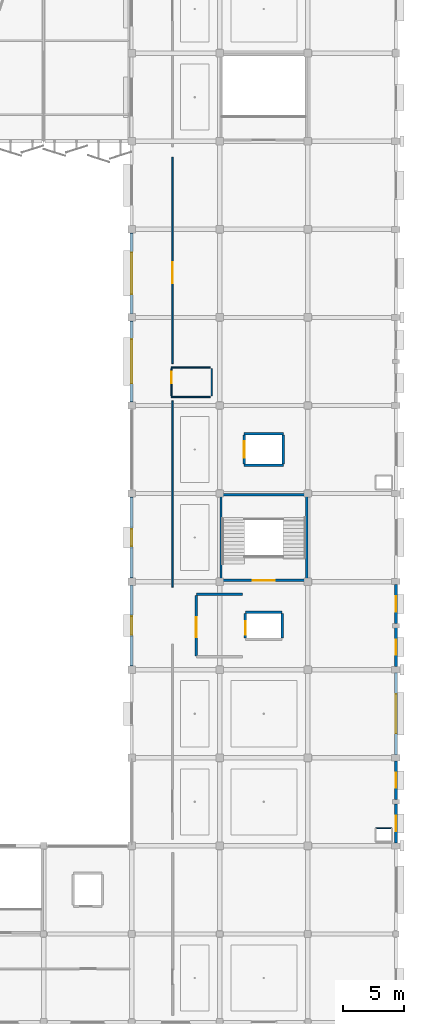
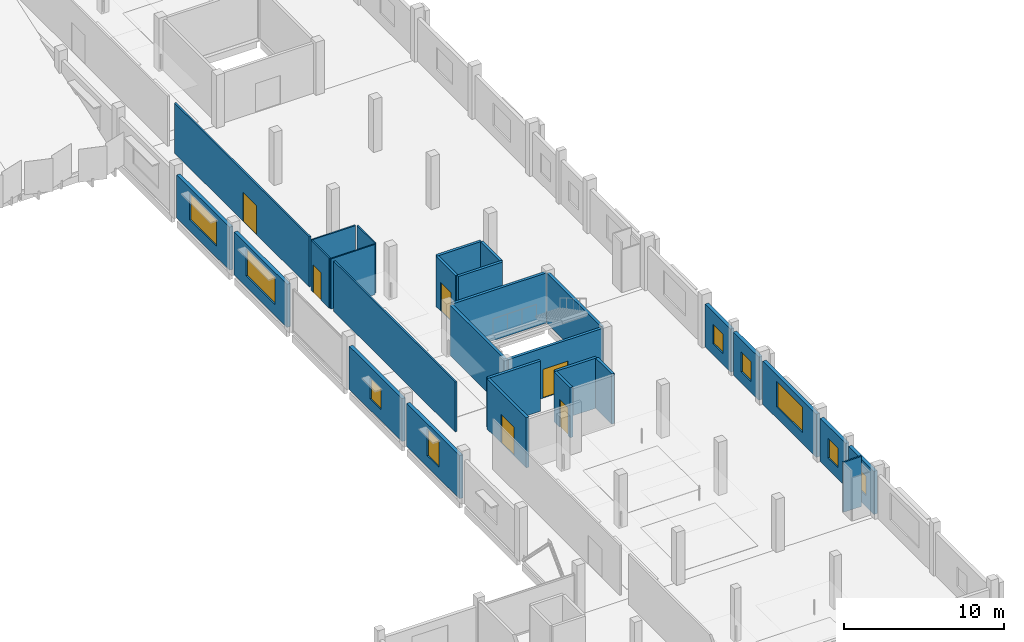
# One storey, part 43 of 59: 29 walls, 9 windows, 6 doors, 15 openings.
"""IFC4 building model written with IfcOpenShell, lengths in metres."""

from ifc_helpers import new_model, si_unit, direction, frame, frame_2d, origin, place, context, subcontext, project, spatial, rectangle, extrude, material, layer, layer_set, type_object, element, fill, save


model = new_model("IFC4")

# Units and contexts
model_context = context("Model", 3, precision=1e-05, world=origin(), true_north=direction((0.0, 1.0)))
body_context = subcontext(model_context, "Body", "Model", "MODEL_VIEW")
ifc_project = project(units=[si_unit("LENGTHUNIT", "METRE"), si_unit("AREAUNIT", "SQUARE_METRE"), si_unit("VOLUMEUNIT", "CUBIC_METRE"), si_unit("PLANEANGLEUNIT", "RADIAN"), si_unit("MASSUNIT", "GRAM", prefix="KILO")], contexts=[model_context])

# Site, building, storey
site_placement = place(None, origin())
site = spatial("IfcSite", under=ifc_project, at=site_placement, CompositionType="ELEMENT")
building_placement = place(site_placement, origin())
building = spatial("IfcBuilding", under=site, at=building_placement, Name="Kangsadwip Square Police Headquarters", CompositionType="ELEMENT")
storey_placement = place(building_placement, frame((0.0, 0.0, 21.60009765625)))
storey = spatial("IfcBuildingStorey", under=building, at=storey_placement, Name="L05", CompositionType="ELEMENT", Elevation=21.60009765625)

# Wall, opening, door
ifc_material_1 = material(Name="Fire-rated double gypsum board acoustic stud partition", Category="masonry")
ifc_layer_1 = layer(ifc_material_1, 0.1201171875)
ifc_layer_set_1 = layer_set([ifc_layer_1], Name="Fire-rated double gypsum board acoustic stud partition")
wall_type_1 = type_object("IfcWallType", Name="AcousticPartition120", PredefinedType="PARTITIONING", material=ifc_layer_set_1)
wall_1_placement = place(storey_placement, frame((147.35009765625, 75.429931640625, 0.0), z_axis=(0.0, 0.0, 1.0), x_axis=(0.0, 1.0, 0.0)))
wall_1 = element("IfcWall", 1, at=wall_1_placement, inside=storey, type_object=wall_type_1, Name="Interior Wall WI-L05-0897", PredefinedType="PARTITIONING", context=body_context, shape_type="SweptSolid", body=[
    extrude(rectangle(XDim=16.8701171875, YDim=0.1201171875, at=frame_2d((8.43505859375, 0.0))), origin(), (0.0, 0.0, 1.0), 3.829833984375),
])
opening_1_placement = place(wall_1_placement, frame((6.572998046875, 0.0, 0.0)))
opening_1 = element("IfcOpeningElement", 2, at=opening_1_placement, cuts=wall_1, Name="Opening ID-17", PredefinedType="OPENING", context=body_context, shape_type="SweptSolid", body=[
    extrude(rectangle(XDim=1.699951171875, YDim=2.199951171875, at=frame_2d((0.85009765625, 1.10009765625))), frame((0.0, 0.070068359375, 0.0), z_axis=(0.0, -1.0, 0.0), x_axis=(1.0, 0.0, 0.0)), (0.0, 0.0, 1.0), 0.14013671875),
])
ifc_material_2 = material(Name="Insulated galvanized steel fire-rated door assembly", Category="steel")
door_type_1 = type_object("IfcDoorType", Name="LabDoubleDoor1700x2200", OperationType="DOUBLE_DOOR_SINGLE_SWING", PredefinedType="DOOR", material=ifc_material_2)
door_1_placement = place(opening_1_placement, origin())
door_1 = element("IfcDoor", 3, at=door_1_placement, inside=storey, type_object=door_type_1, Name="Interior Door ID-L05-0250", OperationType="DOUBLE_DOOR_SINGLE_SWING", OverallHeight=2.199951171875, OverallWidth=1.699951171875, PredefinedType="DOOR", context=body_context, shape_type="SweptSolid", body=[
    extrude(rectangle(XDim=1.699951171875, YDim=2.199951171875, at=frame_2d((0.85009765625, 1.10009765625))), frame((0.0, 0.02490234375, 0.0), z_axis=(0.0, -1.0, 0.0), x_axis=(1.0, 0.0, 0.0)), (0.0, 0.0, 1.0), 0.050048828125),
])
fill(opening_1, door_1)

# Wall
wall_2_placement = place(storey_placement, frame((147.35009765625, 57.14990234375, 0.0), z_axis=(0.0, 0.0, 1.0), x_axis=(0.0, 1.0, 0.0)))
element("IfcWall", 4, at=wall_2_placement, inside=storey, type_object=wall_type_1, Name="Interior Wall WI-L05-0898", PredefinedType="PARTITIONING", context=body_context, shape_type="SweptSolid", body=[
    extrude(rectangle(XDim=15.22021484375, YDim=0.1201171875, at=frame_2d((7.610107421875, 0.0))), origin(), (0.0, 0.0, 1.0), 3.829833984375),
])

# Wall, opening, window
ifc_material_3 = material(Name="Glazed architectural terracotta masonry rainscreen", Category="masonry")
ifc_layer_2 = layer(ifc_material_3, 0.25)
ifc_layer_set_2 = layer_set([ifc_layer_2], Name="Glazed architectural terracotta masonry rainscreen")
wall_type_2 = type_object("IfcWallType", Name="ChicagoTerracottaWall250", PredefinedType="SOLIDWALL", material=ifc_layer_set_2)
wall_3_placement = place(storey_placement, frame((144.0, 50.695068359375, 0.0), z_axis=(0.0, 0.0, 1.0), x_axis=(0.0, 1.0, 0.0)))
wall_3 = element("IfcWall", 5, at=wall_3_placement, inside=storey, type_object=wall_type_2, Name="Exterior Wall WE-L05-510", PredefinedType="SOLIDWALL", context=body_context, shape_type="SweptSolid", body=[
    extrude(rectangle(XDim=6.60986328125, YDim=0.25, at=frame_2d((3.304931640625, 0.0))), origin(), (0.0, 0.0, 1.0), 3.294921875),
])
opening_2_placement = place(wall_3_placement, frame((2.554931640625, 0.0, 0.85009765625)))
opening_2 = element("IfcOpeningElement", 6, at=opening_2_placement, cuts=wall_3, Name="Opening WN-12", PredefinedType="OPENING", context=body_context, shape_type="SweptSolid", body=[
    extrude(rectangle(XDim=1.5, YDim=2.050048828125, at=frame_2d((0.75, 1.02490234375))), frame((0.0, 0.135009765625, 0.0), z_axis=(0.0, -1.0, 0.0), x_axis=(1.0, 0.0, 0.0)), (0.0, 0.0, 1.0), 0.27001953125),
])
ifc_material_4 = material(Name="Double-glazed solar-control low-E safety glass", Category="glass")
window_type_1 = type_object("IfcWindowType", Name="DirectorateTallWin1500x2050", PartitioningType="SINGLE_PANEL", PredefinedType="WINDOW", material=ifc_material_4)
window_1_placement = place(opening_2_placement, origin())
window_1 = element("IfcWindow", 7, at=window_1_placement, inside=storey, type_object=window_type_1, Name="Window WN-L05-0359", OverallHeight=2.050048828125, OverallWidth=1.5, PartitioningType="SINGLE_PANEL", PredefinedType="WINDOW", context=body_context, shape_type="SweptSolid", body=[
    extrude(rectangle(XDim=1.5, YDim=2.050048828125, at=frame_2d((0.75, 1.02490234375))), frame((0.0, 0.030029296875, 0.0), z_axis=(0.0, -1.0, 0.0), x_axis=(1.0, 0.0, 0.0)), (0.0, 0.0, 1.0), 0.06005859375),
])
fill(opening_2, window_1)

wall_4_placement = place(storey_placement, frame((144.0, 57.89501953125, 0.0), z_axis=(0.0, 0.0, 1.0), x_axis=(0.0, 1.0, 0.0)))
wall_4 = element("IfcWall", 8, at=wall_4_placement, inside=storey, type_object=wall_type_2, Name="Exterior Wall WE-L05-511", PredefinedType="SOLIDWALL", context=body_context, shape_type="SweptSolid", body=[
    extrude(rectangle(XDim=6.60986328125, YDim=0.25, at=frame_2d((3.304931640625, 0.0))), origin(), (0.0, 0.0, 1.0), 3.294921875),
])
opening_3_placement = place(wall_4_placement, frame((2.60498046875, 0.0, 0.85009765625)))
opening_3 = element("IfcOpeningElement", 9, at=opening_3_placement, cuts=wall_4, Name="Opening WN-13", PredefinedType="OPENING", context=body_context, shape_type="SweptSolid", body=[
    extrude(rectangle(XDim=1.39990234375, YDim=1.60009765625, at=frame_2d((0.699951171875, 0.800048828125))), frame((0.0, 0.135009765625, 0.0), z_axis=(0.0, -1.0, 0.0), x_axis=(1.0, 0.0, 0.0)), (0.0, 0.0, 1.0), 0.27001953125),
])
ifc_material_5 = material(Name="Double-glazed solar-control low-E safety glass", Category="glass")
window_type_2 = type_object("IfcWindowType", Name="OfficeCasementWin1400x1600", PartitioningType="SINGLE_PANEL", PredefinedType="WINDOW", material=ifc_material_5)
window_2_placement = place(opening_3_placement, origin())
window_2 = element("IfcWindow", 10, at=window_2_placement, inside=storey, type_object=window_type_2, Name="Window WN-L05-0360", OverallHeight=1.60009765625, OverallWidth=1.39990234375, PartitioningType="SINGLE_PANEL", PredefinedType="WINDOW", context=body_context, shape_type="SweptSolid", body=[
    extrude(rectangle(XDim=1.39990234375, YDim=1.60009765625, at=frame_2d((0.699951171875, 0.800048828125))), frame((0.0, 0.030029296875, 0.0), z_axis=(0.0, -1.0, 0.0), x_axis=(1.0, 0.0, 0.0)), (0.0, 0.0, 1.0), 0.06005859375),
])
fill(opening_3, window_2)

wall_5_placement = place(storey_placement, frame((144.0, 72.294921875, 0.0), z_axis=(0.0, 0.0, 1.0), x_axis=(0.0, 1.0, 0.0)))
wall_5 = element("IfcWall", 11, at=wall_5_placement, inside=storey, type_object=wall_type_2, Name="Exterior Wall WE-L05-512", PredefinedType="SOLIDWALL", context=body_context, shape_type="SweptSolid", body=[
    extrude(rectangle(XDim=6.610107421875, YDim=0.25, at=frame_2d((3.30517578125, 0.0))), origin(), (0.0, 0.0, 1.0), 3.294921875),
])
opening_4_placement = place(wall_5_placement, frame((1.5048828125, 0.0, 0.85009765625)))
opening_4 = element("IfcOpeningElement", 12, at=opening_4_placement, cuts=wall_5, Name="Opening WN-01", PredefinedType="OPENING", context=body_context, shape_type="SweptSolid", body=[
    extrude(rectangle(XDim=3.60009765625, YDim=2.050048828125, at=frame_2d((1.800048828125, 1.02490234375))), frame((0.0, 0.135009765625, 0.0), z_axis=(0.0, -1.0, 0.0), x_axis=(1.0, 0.0, 0.0)), (0.0, 0.0, 1.0), 0.27001953125),
])
ifc_material_6 = material(Name="Double-glazed solar-control low-E safety glass", Category="glass")
window_type_3 = type_object("IfcWindowType", Name="ChicagoTripartiteWin3600x2050", PartitioningType="TRIPLE_PANEL_HORIZONTAL", PredefinedType="WINDOW", material=ifc_material_6)
window_3_placement = place(opening_4_placement, origin())
window_3 = element("IfcWindow", 13, at=window_3_placement, inside=storey, type_object=window_type_3, Name="Window WN-L05-0361", OverallHeight=2.050048828125, OverallWidth=3.60009765625, PartitioningType="SINGLE_PANEL", PredefinedType="WINDOW", context=body_context, shape_type="SweptSolid", body=[
    extrude(rectangle(XDim=3.60009765625, YDim=2.050048828125, at=frame_2d((1.800048828125, 1.02490234375))), frame((0.0, 0.030029296875, 0.0), z_axis=(0.0, -1.0, 0.0), x_axis=(1.0, 0.0, 0.0)), (0.0, 0.0, 1.0), 0.06005859375),
])
fill(opening_4, window_3)

wall_6_placement = place(storey_placement, frame((144.0, 79.4951171875, 0.0), z_axis=(0.0, 0.0, 1.0), x_axis=(0.0, 1.0, 0.0)))
wall_6 = element("IfcWall", 14, at=wall_6_placement, inside=storey, type_object=wall_type_2, Name="Exterior Wall WE-L05-513", PredefinedType="SOLIDWALL", context=body_context, shape_type="SweptSolid", body=[
    extrude(rectangle(XDim=6.60986328125, YDim=0.25, at=frame_2d((3.304931640625, 0.0))), origin(), (0.0, 0.0, 1.0), 3.294921875),
])
opening_5_placement = place(wall_6_placement, frame((1.60498046875, 0.0, 0.85009765625)))
opening_5 = element("IfcOpeningElement", 15, at=opening_5_placement, cuts=wall_6, Name="Opening WN-02", PredefinedType="OPENING", context=body_context, shape_type="SweptSolid", body=[
    extrude(rectangle(XDim=3.39990234375, YDim=2.0, at=frame_2d((1.699951171875, 1.0))), frame((0.0, 0.135009765625, 0.0), z_axis=(0.0, -1.0, 0.0), x_axis=(1.0, 0.0, 0.0)), (0.0, 0.0, 1.0), 0.27001953125),
])
ifc_material_7 = material(Name="Double-glazed solar-control low-E safety glass", Category="glass")
window_type_4 = type_object("IfcWindowType", Name="ChicagoTripartiteWin3400x2000", PartitioningType="TRIPLE_PANEL_HORIZONTAL", PredefinedType="WINDOW", material=ifc_material_7)
window_4_placement = place(opening_5_placement, origin())
window_4 = element("IfcWindow", 16, at=window_4_placement, inside=storey, type_object=window_type_4, Name="Window WN-L05-0362", OverallHeight=2.0, OverallWidth=3.39990234375, PartitioningType="SINGLE_PANEL", PredefinedType="WINDOW", context=body_context, shape_type="SweptSolid", body=[
    extrude(rectangle(XDim=3.39990234375, YDim=2.0, at=frame_2d((1.699951171875, 1.0))), frame((0.0, 0.030029296875, 0.0), z_axis=(0.0, -1.0, 0.0), x_axis=(1.0, 0.0, 0.0)), (0.0, 0.0, 1.0), 0.06005859375),
])
fill(opening_5, window_4)

wall_7_placement = place(storey_placement, frame((165.60009765625, 36.2451171875, 0.0), z_axis=(0.0, 0.0, 1.0), x_axis=(0.0, 1.0, 0.0)))
wall_7 = element("IfcWall", 17, at=wall_7_placement, inside=storey, type_object=wall_type_2, Name="Exterior Wall WE-L05-520", PredefinedType="SOLIDWALL", context=body_context, shape_type="SweptSolid", body=[
    extrude(rectangle(XDim=3.184814453125, YDim=0.25, at=frame_2d((1.59228515625, 0.0))), origin(), (0.0, 0.0, 1.0), 3.294921875),
])
opening_6_placement = place(wall_7_placement, frame((0.967529296875, 0.0, 0.85009765625)))
opening_6 = element("IfcOpeningElement", 18, at=opening_6_placement, cuts=wall_7, Name="Opening WN-14", PredefinedType="OPENING", context=body_context, shape_type="SweptSolid", body=[
    extrude(rectangle(XDim=1.25, YDim=1.5, at=frame_2d((0.625, 0.75))), frame((0.0, 0.135009765625, 0.0), z_axis=(0.0, -1.0, 0.0), x_axis=(1.0, 0.0, 0.0)), (0.0, 0.0, 1.0), 0.27001953125),
])
ifc_material_8 = material(Name="Double-glazed solar-control low-E safety glass", Category="glass")
window_type_5 = type_object("IfcWindowType", Name="OfficeCasementWin1250x1500", PartitioningType="SINGLE_PANEL", PredefinedType="WINDOW", material=ifc_material_8)
window_5_placement = place(opening_6_placement, origin())
window_5 = element("IfcWindow", 19, at=window_5_placement, inside=storey, type_object=window_type_5, Name="Window WN-L05-0369", OverallHeight=1.5, OverallWidth=1.25, PartitioningType="SINGLE_PANEL", PredefinedType="WINDOW", context=body_context, shape_type="SweptSolid", body=[
    extrude(rectangle(XDim=1.25, YDim=1.5, at=frame_2d((0.625, 0.75))), frame((0.0, 0.030029296875, 0.0), z_axis=(0.0, -1.0, 0.0), x_axis=(1.0, 0.0, 0.0)), (0.0, 0.0, 1.0), 0.06005859375),
])
fill(opening_6, window_5)

wall_8_placement = place(storey_placement, frame((165.60009765625, 39.77001953125, 0.0), z_axis=(0.0, 0.0, 1.0), x_axis=(0.0, 1.0, 0.0)))
wall_8 = element("IfcWall", 20, at=wall_8_placement, inside=storey, type_object=wall_type_2, Name="Exterior Wall WE-L05-521", PredefinedType="SOLIDWALL", context=body_context, shape_type="SweptSolid", body=[
    extrude(rectangle(XDim=3.18505859375, YDim=0.25, at=frame_2d((1.592529296875, 0.0))), origin(), (0.0, 0.0, 1.0), 3.294921875),
])
opening_7_placement = place(wall_8_placement, frame((0.967529296875, 0.0, 0.85009765625)))
opening_7 = element("IfcOpeningElement", 21, at=opening_7_placement, cuts=wall_8, Name="Opening WN-14", PredefinedType="OPENING", context=body_context, shape_type="SweptSolid", body=[
    extrude(rectangle(XDim=1.25, YDim=1.5, at=frame_2d((0.625, 0.75))), frame((0.0, 0.135009765625, 0.0), z_axis=(0.0, -1.0, 0.0), x_axis=(1.0, 0.0, 0.0)), (0.0, 0.0, 1.0), 0.27001953125),
])
window_6_placement = place(opening_7_placement, origin())
window_6 = element("IfcWindow", 22, at=window_6_placement, inside=storey, type_object=window_type_5, Name="Window WN-L05-0370", OverallHeight=1.5, OverallWidth=1.25, PartitioningType="SINGLE_PANEL", PredefinedType="WINDOW", context=body_context, shape_type="SweptSolid", body=[
    extrude(rectangle(XDim=1.25, YDim=1.5, at=frame_2d((0.625, 0.75))), frame((0.0, 0.030029296875, 0.0), z_axis=(0.0, -1.0, 0.0), x_axis=(1.0, 0.0, 0.0)), (0.0, 0.0, 1.0), 0.06005859375),
])
fill(opening_7, window_6)

wall_9_placement = place(storey_placement, frame((165.60009765625, 43.445068359375, 0.0), z_axis=(0.0, 0.0, 1.0), x_axis=(0.0, 1.0, 0.0)))
wall_9 = element("IfcWall", 23, at=wall_9_placement, inside=storey, type_object=wall_type_2, Name="Exterior Wall WE-L05-522", PredefinedType="SOLIDWALL", context=body_context, shape_type="SweptSolid", body=[
    extrude(rectangle(XDim=6.7099609375, YDim=0.25, at=frame_2d((3.35498046875, 0.0))), origin(), (0.0, 0.0, 1.0), 3.294921875),
])
opening_8_placement = place(wall_9_placement, frame((1.7548828125, 0.0, 0.85009765625)))
opening_8 = element("IfcOpeningElement", 24, at=opening_8_placement, cuts=wall_9, Name="Opening WN-03", PredefinedType="OPENING", context=body_context, shape_type="SweptSolid", body=[
    extrude(rectangle(XDim=3.199951171875, YDim=1.949951171875, at=frame_2d((1.60009765625, 0.97509765625))), frame((0.0, 0.135009765625, 0.0), z_axis=(0.0, -1.0, 0.0), x_axis=(1.0, 0.0, 0.0)), (0.0, 0.0, 1.0), 0.27001953125),
])
ifc_material_9 = material(Name="Double-glazed solar-control low-E safety glass", Category="glass")
window_type_6 = type_object("IfcWindowType", Name="ChicagoTripartiteWin3200x1950", PartitioningType="TRIPLE_PANEL_HORIZONTAL", PredefinedType="WINDOW", material=ifc_material_9)
window_7_placement = place(opening_8_placement, origin())
window_7 = element("IfcWindow", 25, at=window_7_placement, inside=storey, type_object=window_type_6, Name="Window WN-L05-0371", OverallHeight=1.949951171875, OverallWidth=3.199951171875, PartitioningType="SINGLE_PANEL", PredefinedType="WINDOW", context=body_context, shape_type="SweptSolid", body=[
    extrude(rectangle(XDim=3.199951171875, YDim=1.949951171875, at=frame_2d((1.60009765625, 0.97509765625))), frame((0.0, 0.030029296875, 0.0), z_axis=(0.0, -1.0, 0.0), x_axis=(1.0, 0.0, 0.0)), (0.0, 0.0, 1.0), 0.06005859375),
])
fill(opening_8, window_7)

wall_10_placement = place(storey_placement, frame((165.60009765625, 50.64501953125, 0.0), z_axis=(0.0, 0.0, 1.0), x_axis=(0.0, 1.0, 0.0)))
wall_10 = element("IfcWall", 26, at=wall_10_placement, inside=storey, type_object=wall_type_2, Name="Exterior Wall WE-L05-523", PredefinedType="SOLIDWALL", context=body_context, shape_type="SweptSolid", body=[
    extrude(rectangle(XDim=3.18505859375, YDim=0.25, at=frame_2d((1.592529296875, 0.0))), origin(), (0.0, 0.0, 1.0), 3.294921875),
])
opening_9_placement = place(wall_10_placement, frame((0.967529296875, 0.0, 0.85009765625)))
opening_9 = element("IfcOpeningElement", 27, at=opening_9_placement, cuts=wall_10, Name="Opening WN-14", PredefinedType="OPENING", context=body_context, shape_type="SweptSolid", body=[
    extrude(rectangle(XDim=1.25, YDim=1.5, at=frame_2d((0.625, 0.75))), frame((0.0, 0.135009765625, 0.0), z_axis=(0.0, -1.0, 0.0), x_axis=(1.0, 0.0, 0.0)), (0.0, 0.0, 1.0), 0.27001953125),
])
window_8_placement = place(opening_9_placement, origin())
window_8 = element("IfcWindow", 28, at=window_8_placement, inside=storey, type_object=window_type_5, Name="Window WN-L05-0372", OverallHeight=1.5, OverallWidth=1.25, PartitioningType="SINGLE_PANEL", PredefinedType="WINDOW", context=body_context, shape_type="SweptSolid", body=[
    extrude(rectangle(XDim=1.25, YDim=1.5, at=frame_2d((0.625, 0.75))), frame((0.0, 0.030029296875, 0.0), z_axis=(0.0, -1.0, 0.0), x_axis=(1.0, 0.0, 0.0)), (0.0, 0.0, 1.0), 0.06005859375),
])
fill(opening_9, window_8)

wall_11_placement = place(storey_placement, frame((165.60009765625, 54.169921875, 0.0), z_axis=(0.0, 0.0, 1.0), x_axis=(0.0, 1.0, 0.0)))
wall_11 = element("IfcWall", 29, at=wall_11_placement, inside=storey, type_object=wall_type_2, Name="Exterior Wall WE-L05-524", PredefinedType="SOLIDWALL", context=body_context, shape_type="SweptSolid", body=[
    extrude(rectangle(XDim=3.18505859375, YDim=0.25, at=frame_2d((1.592529296875, 0.0))), origin(), (0.0, 0.0, 1.0), 3.294921875),
])
opening_10_placement = place(wall_11_placement, frame((0.967529296875, 0.0, 0.85009765625)))
opening_10 = element("IfcOpeningElement", 30, at=opening_10_placement, cuts=wall_11, Name="Opening WN-14", PredefinedType="OPENING", context=body_context, shape_type="SweptSolid", body=[
    extrude(rectangle(XDim=1.25, YDim=1.5, at=frame_2d((0.625, 0.75))), frame((0.0, 0.135009765625, 0.0), z_axis=(0.0, -1.0, 0.0), x_axis=(1.0, 0.0, 0.0)), (0.0, 0.0, 1.0), 0.27001953125),
])
window_9_placement = place(opening_10_placement, origin())
window_9 = element("IfcWindow", 31, at=window_9_placement, inside=storey, type_object=window_type_5, Name="Window WN-L05-0373", OverallHeight=1.5, OverallWidth=1.25, PartitioningType="SINGLE_PANEL", PredefinedType="WINDOW", context=body_context, shape_type="SweptSolid", body=[
    extrude(rectangle(XDim=1.25, YDim=1.5, at=frame_2d((0.625, 0.75))), frame((0.0, 0.030029296875, 0.0), z_axis=(0.0, -1.0, 0.0), x_axis=(1.0, 0.0, 0.0)), (0.0, 0.0, 1.0), 0.06005859375),
])
fill(opening_10, window_9)

# Wall, opening, door
ifc_material_10 = material(Name="Concrete M40 (40 MPa)", Category="concrete")
ifc_layer_3 = layer(ifc_material_10, 0.199951171875)
ifc_layer_set_3 = layer_set([ifc_layer_3], Name="Concrete M40 (40 MPa)")
wall_type_3 = type_object("IfcWallType", Name="CoreShearWall200", PredefinedType="SHEAR", material=ifc_layer_set_3)
wall_12_placement = place(storey_placement, frame((151.39990234375, 57.699951171875, 0.0), z_axis=(0.0, 0.0, 1.0), x_axis=(1.0, 0.0, 0.0)))
wall_12 = element("IfcWall", 32, at=wall_12_placement, inside=storey, type_object=wall_type_3, Name="Interior Wall WI-L05-0113", PredefinedType="SHEAR", context=body_context, shape_type="SweptSolid", body=[
    extrude(rectangle(XDim=6.800048828125, YDim=0.199951171875, at=frame_2d((3.39990234375, 0.0))), origin(), (0.0, 0.0, 1.0), 3.829833984375),
])
opening_11_placement = place(wall_12_placement, frame((2.5, 0.0, 0.0)))
opening_11 = element("IfcOpeningElement", 33, at=opening_11_placement, cuts=wall_12, Name="Opening FD-18", PredefinedType="OPENING", context=body_context, shape_type="SweptSolid", body=[
    extrude(rectangle(XDim=1.800048828125, YDim=2.199951171875, at=frame_2d((0.89990234375, 1.10009765625))), frame((0.0, 0.10986328125, 0.0), z_axis=(0.0, -1.0, 0.0), x_axis=(1.0, 0.0, 0.0)), (0.0, 0.0, 1.0), 0.219970703125),
])
ifc_material_11 = material(Name="Insulated galvanized steel fire-rated door assembly", Category="steel")
door_type_2 = type_object("IfcDoorType", Name="StairFireDoor1800x2200", OperationType="DOUBLE_DOOR_SINGLE_SWING", PredefinedType="DOOR", material=ifc_material_11)
door_2_placement = place(opening_11_placement, origin())
door_2 = element("IfcDoor", 34, at=door_2_placement, inside=storey, type_object=door_type_2, Name="Interior Door ID-L05-0025", OperationType="DOUBLE_DOOR_SINGLE_SWING", OverallHeight=2.199951171875, OverallWidth=1.800048828125, PredefinedType="DOOR", context=body_context, shape_type="SweptSolid", body=[
    extrude(rectangle(XDim=1.800048828125, YDim=2.199951171875, at=frame_2d((0.89990234375, 1.10009765625))), frame((0.0, 0.02490234375, 0.0), z_axis=(0.0, -1.0, 0.0), x_axis=(1.0, 0.0, 0.0)), (0.0, 0.0, 1.0), 0.050048828125),
])
fill(opening_11, door_2)

# Walls
for number, where, z_axis, x_axis, name in (
    (35, (151.39990234375, 64.699951171875, 0.0), (0.0, 0.0, 1.0), (1.0, 0.0, 0.0), "Interior Wall WI-L05-0114"),
    (36, (151.300048828125, 57.800048828125, 0.0), (0.0, 0.0, 1.0), (0.0, 1.0, 0.0), "Interior Wall WI-L05-0115"),
    (37, (158.300048828125, 57.800048828125, 0.0), (0.0, 0.0, 1.0), (0.0, 1.0, 0.0), "Interior Wall WI-L05-0116"),
):
    element("IfcWall", number, at=place(storey_placement, frame(where, z_axis=z_axis, x_axis=x_axis)), inside=storey, type_object=wall_type_3, Name=name, PredefinedType="SHEAR", context=body_context, shape_type="SweptSolid", body=[
        extrude(rectangle(XDim=6.800048828125, YDim=0.199951171875, at=frame_2d((3.39990234375, 0.0))), origin(), (0.0, 0.0, 1.0), 3.829833984375),
    ])
wall_13_placement = place(storey_placement, frame((153.300048828125, 55.10009765625, 0.0), z_axis=(0.0, 0.0, 1.0), x_axis=(1.0, 0.0, 0.0)))
element("IfcWall", 38, at=wall_13_placement, inside=storey, type_object=wall_type_3, Name="Interior Wall WI-L05-0336", PredefinedType="SHEAR", context=body_context, shape_type="SweptSolid", body=[
    extrude(rectangle(XDim=3.0, YDim=0.199951171875, at=frame_2d((1.5, 0.0))), origin(), (0.0, 0.0, 1.0), 3.829833984375),
])

# Wall, opening, door
wall_14_placement = place(storey_placement, frame((153.300048828125, 53.0, 0.0), z_axis=(0.0, 0.0, 1.0), x_axis=(0.0, 1.0, 0.0)))
wall_14 = element("IfcWall", 39, at=wall_14_placement, inside=storey, type_object=wall_type_3, Name="Interior Wall WI-L05-0337", PredefinedType="SHEAR", context=body_context, shape_type="SweptSolid", body=[
    extrude(rectangle(XDim=2.0, YDim=0.199951171875, at=frame_2d((1.0, 0.0))), origin(), (0.0, 0.0, 1.0), 3.829833984375),
])
opening_12_placement = place(wall_14_placement, frame((0.25, 0.0, 0.0)))
opening_12 = element("IfcOpeningElement", 40, at=opening_12_placement, cuts=wall_14, Name="Opening LD-025", PredefinedType="OPENING", context=body_context, shape_type="SweptSolid", body=[
    extrude(rectangle(XDim=1.10009765625, YDim=2.14990234375, at=frame_2d((0.550048828125, 1.074951171875))), frame((0.0, 0.10986328125, 0.0), z_axis=(0.0, -1.0, 0.0), x_axis=(1.0, 0.0, 0.0)), (0.0, 0.0, 1.0), 0.219970703125),
])
ifc_material_12 = material(Name="Brushed stainless steel automatic sliding lift landing door", Category="steel")
door_type_3 = type_object("IfcDoorType", Name="LiftLandingDoor1100x2150", OperationType="DOUBLE_DOOR_SLIDING", PredefinedType="DOOR", material=ifc_material_12)
door_3_placement = place(opening_12_placement, origin())
door_3 = element("IfcDoor", 41, at=door_3_placement, inside=storey, type_object=door_type_3, Name="Interior Door LD-025", OperationType="DOUBLE_DOOR_SLIDING", OverallHeight=2.14990234375, OverallWidth=1.10009765625, PredefinedType="DOOR", context=body_context, shape_type="SweptSolid", body=[
    extrude(rectangle(XDim=1.10009765625, YDim=2.14990234375, at=frame_2d((0.550048828125, 1.074951171875))), frame((0.0, 0.02490234375, 0.0), z_axis=(0.0, -1.0, 0.0), x_axis=(1.0, 0.0, 0.0)), (0.0, 0.0, 1.0), 0.050048828125),
])
fill(opening_12, door_3)

# Walls
wall_15_placement = place(storey_placement, frame((156.300048828125, 53.0, 0.0), z_axis=(0.0, 0.0, 1.0), x_axis=(0.0, 1.0, 0.0)))
element("IfcWall", 42, at=wall_15_placement, inside=storey, type_object=wall_type_3, Name="Interior Wall WI-L05-0338", PredefinedType="SHEAR", context=body_context, shape_type="SweptSolid", body=[
    extrude(rectangle(XDim=2.0, YDim=0.199951171875, at=frame_2d((1.0, 0.0))), origin(), (0.0, 0.0, 1.0), 3.829833984375),
])
for number, where, z_axis, x_axis, name in (
    (43, (153.199951171875, 67.10009765625, 0.0), (0.0, 0.0, 1.0), (1.0, 0.0, 0.0), "Interior Wall WI-L05-0451"),
    (44, (153.199951171875, 69.699951171875, 0.0), (0.0, 0.0, 1.0), (1.0, 0.0, 0.0), "Interior Wall WI-L05-0452"),
):
    element("IfcWall", number, at=place(storey_placement, frame(where, z_axis=z_axis, x_axis=x_axis)), inside=storey, type_object=wall_type_3, Name=name, PredefinedType="SHEAR", context=body_context, shape_type="SweptSolid", body=[
        extrude(rectangle(XDim=3.199951171875, YDim=0.199951171875, at=frame_2d((1.60009765625, 0.0))), origin(), (0.0, 0.0, 1.0), 3.829833984375),
    ])

# Wall, opening, door
wall_16_placement = place(storey_placement, frame((153.199951171875, 67.199951171875, 0.0), z_axis=(0.0, 0.0, 1.0), x_axis=(0.0, 1.0, 0.0)))
wall_16 = element("IfcWall", 45, at=wall_16_placement, inside=storey, type_object=wall_type_3, Name="Interior Wall WI-L05-0453", PredefinedType="SHEAR", context=body_context, shape_type="SweptSolid", body=[
    extrude(rectangle(XDim=2.400146484375, YDim=0.199951171875, at=frame_2d((1.2001953125, 0.0))), origin(), (0.0, 0.0, 1.0), 3.829833984375),
])
opening_13_placement = place(wall_16_placement, frame((0.52490234375, 0.0, 0.0)))
opening_13 = element("IfcOpeningElement", 46, at=opening_13_placement, cuts=wall_16, Name="Opening LD-051", PredefinedType="OPENING", context=body_context, shape_type="SweptSolid", body=[
    extrude(rectangle(XDim=1.35009765625, YDim=2.199951171875, at=frame_2d((0.675048828125, 1.10009765625))), frame((0.0, 0.10986328125, 0.0), z_axis=(0.0, -1.0, 0.0), x_axis=(1.0, 0.0, 0.0)), (0.0, 0.0, 1.0), 0.219970703125),
])
ifc_material_13 = material(Name="Brushed stainless steel automatic sliding lift landing door", Category="steel")
door_type_4 = type_object("IfcDoorType", Name="LiftLandingDoor1350x2200", OperationType="DOUBLE_DOOR_SLIDING", PredefinedType="DOOR", material=ifc_material_13)
door_4_placement = place(opening_13_placement, origin())
door_4 = element("IfcDoor", 47, at=door_4_placement, inside=storey, type_object=door_type_4, Name="Interior Door LD-051", OperationType="DOUBLE_DOOR_SLIDING", OverallHeight=2.199951171875, OverallWidth=1.35009765625, PredefinedType="DOOR", context=body_context, shape_type="SweptSolid", body=[
    extrude(rectangle(XDim=1.35009765625, YDim=2.199951171875, at=frame_2d((0.675048828125, 1.10009765625))), frame((0.0, 0.02490234375, 0.0), z_axis=(0.0, -1.0, 0.0), x_axis=(1.0, 0.0, 0.0)), (0.0, 0.0, 1.0), 0.050048828125),
])
fill(opening_13, door_4)

# Wall
wall_17_placement = place(storey_placement, frame((156.39990234375, 67.199951171875, 0.0), z_axis=(0.0, 0.0, 1.0), x_axis=(0.0, 1.0, 0.0)))
element("IfcWall", 48, at=wall_17_placement, inside=storey, type_object=wall_type_3, Name="Interior Wall WI-L05-0454", PredefinedType="SHEAR", context=body_context, shape_type="SweptSolid", body=[
    extrude(rectangle(XDim=2.400146484375, YDim=0.199951171875, at=frame_2d((1.2001953125, 0.0))), origin(), (0.0, 0.0, 1.0), 3.829833984375),
])

# Wall, opening, door
ifc_material_14 = material(Name="Concrete M40 (40 MPa)", Category="concrete")
ifc_layer_4 = layer(ifc_material_14, 0.199951171875)
ifc_layer_set_4 = layer_set([ifc_layer_4], Name="Concrete M40 (40 MPa)")
wall_type_4 = type_object("IfcWallType", Name="CustodySecurityWall200", PredefinedType="SOLIDWALL", material=ifc_layer_set_4)
wall_18_placement = place(storey_placement, frame((149.280029296875, 51.530029296875, 0.0), z_axis=(0.0, 0.0, 1.0), x_axis=(0.0, 1.0, 0.0)))
wall_18 = element("IfcWall", 49, at=wall_18_placement, inside=storey, type_object=wall_type_4, Name="Interior Wall WI-L05-0876", PredefinedType="SOLIDWALL", context=body_context, shape_type="SweptSolid", body=[
    extrude(rectangle(XDim=4.93994140625, YDim=0.199951171875, at=frame_2d((2.469970703125, 0.0))), origin(), (0.0, 0.0, 1.0), 3.829833984375),
])
opening_14_placement = place(wall_18_placement, frame((1.541015625, 0.0, 0.0)))
opening_14 = element("IfcOpeningElement", 50, at=opening_14_placement, cuts=wall_18, Name="Opening FD-16", PredefinedType="OPENING", context=body_context, shape_type="SweptSolid", body=[
    extrude(rectangle(XDim=1.60009765625, YDim=2.199951171875, at=frame_2d((0.800048828125, 1.10009765625))), frame((0.0, 0.10986328125, 0.0), z_axis=(0.0, -1.0, 0.0), x_axis=(1.0, 0.0, 0.0)), (0.0, 0.0, 1.0), 0.219970703125),
])
ifc_material_15 = material(Name="Insulated galvanized steel fire-rated door assembly", Category="steel")
door_type_5 = type_object("IfcDoorType", Name="FfLobbyFireDoor1600x2200", OperationType="DOUBLE_DOOR_SINGLE_SWING", PredefinedType="DOOR", material=ifc_material_15)
door_5_placement = place(opening_14_placement, origin())
door_5 = element("IfcDoor", 51, at=door_5_placement, inside=storey, type_object=door_type_5, Name="Interior Door ID-L05-0241", OperationType="DOUBLE_DOOR_SINGLE_SWING", OverallHeight=2.199951171875, OverallWidth=1.60009765625, PredefinedType="DOOR", context=body_context, shape_type="SweptSolid", body=[
    extrude(rectangle(XDim=1.60009765625, YDim=2.199951171875, at=frame_2d((0.800048828125, 1.10009765625))), frame((0.0, 0.02490234375, 0.0), z_axis=(0.0, -1.0, 0.0), x_axis=(1.0, 0.0, 0.0)), (0.0, 0.0, 1.0), 0.050048828125),
])
fill(opening_14, door_5)

# Walls
wall_19_placement = place(storey_placement, frame((149.280029296875, 56.550048828125, 0.0), z_axis=(0.0, 0.0, 1.0), x_axis=(1.0, 0.0, 0.0)))
element("IfcWall", 52, at=wall_19_placement, inside=storey, type_object=wall_type_4, Name="Interior Wall WI-L05-0878", PredefinedType="SOLIDWALL", context=body_context, shape_type="SweptSolid", body=[
    extrude(rectangle(XDim=3.780029296875, YDim=0.199951171875, at=frame_2d((1.89013671875, 0.0))), origin(), (0.0, 0.0, 1.0), 3.829833984375),
])
ifc_material_16 = material(Name="Autoclaved aerated concrete blockwork masonry", Category="masonry")
ifc_layer_5 = layer(ifc_material_16, 0.10009765625)
ifc_layer_set_5 = layer_set([ifc_layer_5], Name="Autoclaved aerated concrete blockwork masonry")
wall_type_5 = type_object("IfcWallType", Name="WetWallPartition100", PredefinedType="PARTITIONING", material=ifc_layer_set_5)
wall_20_placement = place(storey_placement, frame((163.949951171875, 37.449951171875, 0.0), z_axis=(0.0, 0.0, 1.0), x_axis=(1.0, 0.0, 0.0)))
element("IfcWall", 53, at=wall_20_placement, inside=storey, type_object=wall_type_5, Name="Interior Wall WI-L05-0600", PredefinedType="PARTITIONING", context=body_context, shape_type="SweptSolid", body=[
    extrude(rectangle(XDim=1.300048828125, YDim=0.10009765625, at=frame_2d((0.64990234375, 0.0))), origin(), (0.0, 0.0, 1.0), 3.829833984375),
])

# Wall, opening, door
wall_21_placement = place(storey_placement, frame((147.25, 72.780029296875, 0.0), z_axis=(0.0, 0.0, 1.0), x_axis=(0.0, 1.0, 0.0)))
wall_21 = element("IfcWall", 54, at=wall_21_placement, inside=storey, type_object=wall_type_5, Name="Interior Wall WI-L05-0887", PredefinedType="PARTITIONING", context=body_context, shape_type="SweptSolid", body=[
    extrude(rectangle(XDim=2.239990234375, YDim=0.10009765625, at=frame_2d((1.1201171875, 0.0))), origin(), (0.0, 0.0, 1.0), 3.829833984375),
])
opening_15_placement = place(wall_21_placement, frame((1.0400390625, 0.0, 0.0)))
opening_15 = element("IfcOpeningElement", 55, at=opening_15_placement, cuts=wall_21, Name="Opening WD-09A", PredefinedType="OPENING", context=body_context, shape_type="SweptSolid", body=[
    extrude(rectangle(XDim=0.949951171875, YDim=2.10009765625, at=frame_2d((0.47509765625, 1.050048828125))), frame((0.0, 0.06005859375, 0.0), z_axis=(0.0, -1.0, 0.0), x_axis=(1.0, 0.0, 0.0)), (0.0, 0.0, 1.0), 0.1201171875),
])
ifc_material_17 = material(Name="Solid-core seasoned teak hardwood architectural door", Category="wood")
door_type_6 = type_object("IfcDoorType", Name="AccessibleWcDoor950x2100", OperationType="NOTDEFINED", PredefinedType="DOOR", material=ifc_material_17)
door_6_placement = place(opening_15_placement, origin())
door_6 = element("IfcDoor", 56, at=door_6_placement, inside=storey, type_object=door_type_6, Name="Interior Door ID-L05-0244", OperationType="SINGLE_SWING_RIGHT", OverallHeight=2.10009765625, OverallWidth=0.949951171875, PredefinedType="DOOR", context=body_context, shape_type="SweptSolid", body=[
    extrude(rectangle(XDim=0.949951171875, YDim=2.10009765625, at=frame_2d((0.47509765625, 1.050048828125))), frame((0.0, 0.02490234375, 0.0), z_axis=(0.0, -1.0, 0.0), x_axis=(1.0, 0.0, 0.0)), (0.0, 0.0, 1.0), 0.050048828125),
])
fill(opening_15, door_6)

# Walls
for number, where, z_axis, x_axis, name in (
    (57, (147.25, 72.699951171875, 0.0), (0.0, 0.0, 1.0), (1.0, 0.0, 0.0), "Interior Wall WI-L05-0888"),
    (58, (147.25, 75.10009765625, 0.0), (0.0, 0.0, 1.0), (1.0, 0.0, 0.0), "Interior Wall WI-L05-0889"),
):
    element("IfcWall", number, at=place(storey_placement, frame(where, z_axis=z_axis, x_axis=x_axis)), inside=storey, type_object=wall_type_5, Name=name, PredefinedType="PARTITIONING", context=body_context, shape_type="SweptSolid", body=[
        extrude(rectangle(XDim=3.179931640625, YDim=0.10009765625, at=frame_2d((1.58984375, 0.0))), origin(), (0.0, 0.0, 1.0), 3.829833984375),
    ])
wall_22_placement = place(storey_placement, frame((150.550048828125, 72.780029296875, 0.0), z_axis=(0.0, 0.0, 1.0), x_axis=(0.0, 1.0, 0.0)))
element("IfcWall", 59, at=wall_22_placement, inside=storey, type_object=wall_type_5, Name="Interior Wall WI-L05-0890", PredefinedType="PARTITIONING", context=body_context, shape_type="SweptSolid", body=[
    extrude(rectangle(XDim=2.239990234375, YDim=0.10009765625, at=frame_2d((1.1201171875, 0.0))), origin(), (0.0, 0.0, 1.0), 3.829833984375),
])

save(model, "model.ifc")
